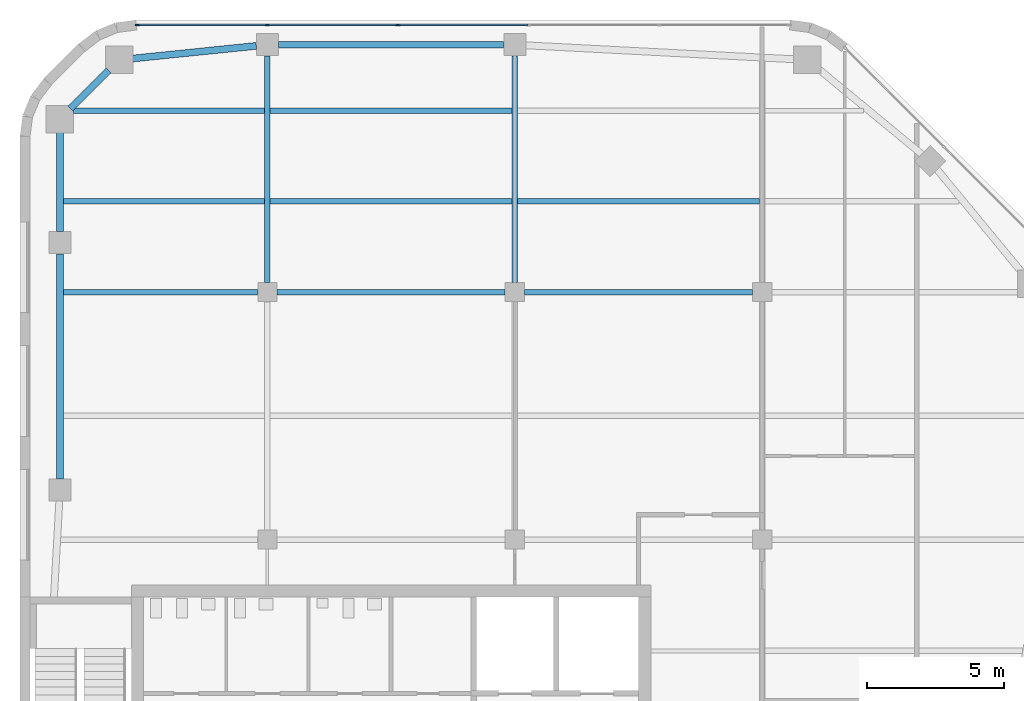
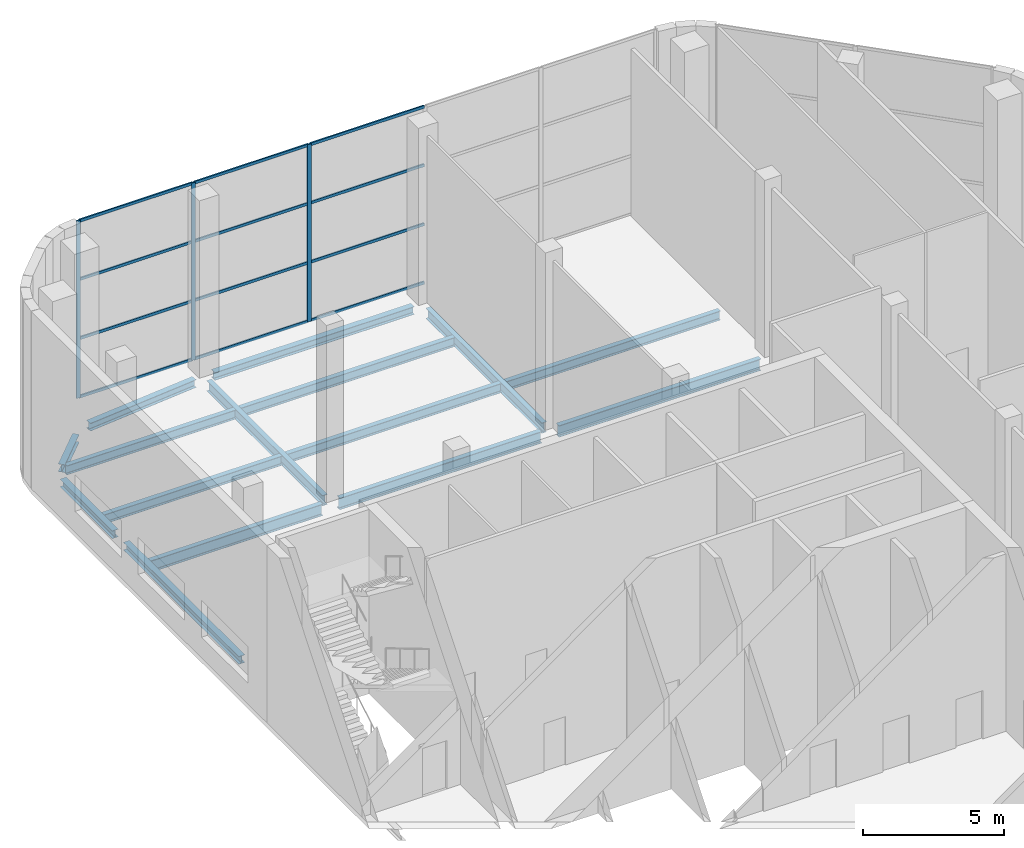
# One storey, part 5 of 12: 15 beams, 15 members, 1 element without a shape of its own.
"""IFC4 building model written with IfcOpenShell, lengths in metres."""

from ifc_helpers import new_model, si_unit, direction, frame, origin, origin_2d, place, context, subcontext, project, spatial, rectangle, i_section, extrude, material, material_profile, profile_set, type_object, element, aggregate, save


model = new_model("IFC4")

# Units and contexts
model_context = context("Model", 3, precision=1e-05, world=origin(), true_north=direction((0.0, 1.0)))
body_context = subcontext(model_context, "Body", "Model", "MODEL_VIEW")
ifc_project = project(units=[si_unit("LENGTHUNIT", "METRE"), si_unit("AREAUNIT", "SQUARE_METRE"), si_unit("VOLUMEUNIT", "CUBIC_METRE"), si_unit("PLANEANGLEUNIT", "RADIAN"), si_unit("MASSUNIT", "GRAM", prefix="KILO")], contexts=[model_context])

# Site, building, storey
site_placement = place(None, origin())
site = spatial("IfcSite", under=ifc_project, at=site_placement, CompositionType="ELEMENT")
building_placement = place(site_placement, origin())
building = spatial("IfcBuilding", under=site, at=building_placement, Name="Cinnabar Reach Civic Tower", CompositionType="ELEMENT")
storey_placement = place(building_placement, frame((0.0, 0.0, 283.0)))
storey = spatial("IfcBuildingStorey", under=building, at=storey_placement, Name="L68", CompositionType="ELEMENT", Elevation=283.0)

# Beams
ifc_material_1 = material(Name="Steel Q355B", Category="steel")
ifc_material_profile_1 = material_profile(ifc_material_1, i_section(OverallWidth=0.25, OverallDepth=0.34, WebThickness=0.009, FlangeThickness=0.014, FilletRadius=0.013, at=origin_2d()), Name="HM340x250x9x14")
ifc_profile_set_1 = profile_set([ifc_material_profile_1], Name="Steel Q355B")
beam_type_1 = type_object("IfcBeamType", Name="HM340x250x9x14 beam R 180", PredefinedType="BEAM", material=ifc_profile_set_1)
beam_1_placement = place(storey_placement, frame((17.598, 62.1, -0.37), z_axis=(-1.0, 0.0, 0.0), x_axis=(0.0, -1.0, 0.0)))
element("IfcBeam", 1, at=beam_1_placement, inside=storey, type_object=beam_type_1, Name="Edge beam T1 L68 12", PredefinedType="BEAM", context=body_context, shape_type="SweptSolid", body=[
    extrude(i_section(OverallWidth=0.25, OverallDepth=0.34, WebThickness=0.009, FlangeThickness=0.014, FilletRadius=0.013, at=origin_2d()), origin(), (0.0, 0.0, 1.0), 8.196),
])
beam_2_placement = place(storey_placement, frame((8.598, 62.0588, -0.37), z_axis=(-0.994791084875, -0.101934770579, 0.0), x_axis=(0.101934770579, -0.994791084875, 0.0)))
element("IfcBeam", 2, at=beam_2_placement, inside=storey, type_object=beam_type_1, Name="Edge beam T1 L68 13", PredefinedType="BEAM", context=body_context, shape_type="SweptSolid", body=[
    extrude(i_section(OverallWidth=0.25, OverallDepth=0.34, WebThickness=0.009, FlangeThickness=0.014, FilletRadius=0.013, at=origin_2d()), origin(), (0.0, 0.0, 1.0), 4.6383),
])
beam_3_placement = place(storey_placement, frame((3.2199, 61.1649, -0.37), z_axis=(-0.707106781187, -0.707106781187, 0.0), x_axis=(0.707106781187, -0.707106781187, 0.0)))
element("IfcBeam", 3, at=beam_3_placement, inside=storey, type_object=beam_type_1, Name="Edge beam T1 L68 14", PredefinedType="BEAM", context=body_context, shape_type="SweptSolid", body=[
    extrude(i_section(OverallWidth=0.25, OverallDepth=0.34, WebThickness=0.009, FlangeThickness=0.014, FilletRadius=0.013, at=origin_2d()), origin(), (0.0, 0.0, 1.0), 1.9584),
])
beam_4_placement = place(storey_placement, frame((1.4531, 59.0161, -0.37), z_axis=(0.0, -1.0, 0.0), x_axis=(1.0, 0.0, 0.0)))
element("IfcBeam", 4, at=beam_4_placement, inside=storey, type_object=beam_type_1, Name="Edge beam T1 L68 15", PredefinedType="BEAM", context=body_context, shape_type="SweptSolid", body=[
    extrude(i_section(OverallWidth=0.25, OverallDepth=0.34, WebThickness=0.009, FlangeThickness=0.014, FilletRadius=0.013, at=origin_2d()), origin(), (0.0, 0.0, 1.0), 3.716),
])
beam_5_placement = place(storey_placement, frame((1.4531, 54.4961, -0.37), z_axis=(0.0, -1.0, 0.0), x_axis=(1.0, 0.0, 0.0)))
element("IfcBeam", 5, at=beam_5_placement, inside=storey, type_object=beam_type_1, Name="Edge beam T1 L68 16", PredefinedType="BEAM", context=body_context, shape_type="SweptSolid", body=[
    extrude(i_section(OverallWidth=0.25, OverallDepth=0.34, WebThickness=0.009, FlangeThickness=0.014, FilletRadius=0.013, at=origin_2d()), origin(), (0.0, 0.0, 1.0), 8.196),
])
ifc_material_profile_2 = material_profile(ifc_material_1, i_section(OverallWidth=0.2, OverallDepth=0.4, WebThickness=0.008, FlangeThickness=0.013, FilletRadius=0.016, at=origin_2d()), Name="HN400x200x8x13")
ifc_profile_set_2 = profile_set([ifc_material_profile_2], Name="Steel Q355B")
beam_type_2 = type_object("IfcBeamType", Name="HN400x200x8x13 beam R 180", PredefinedType="BEAM", material=ifc_profile_set_2)
beam_6_placement = place(storey_placement, frame((1.5801, 56.4, -0.4), z_axis=(1.0, 0.0, 0.0), x_axis=(0.0, 1.0, 0.0)))
element("IfcBeam", 6, at=beam_6_placement, inside=storey, type_object=beam_type_2, Name="Secondary beam T1 L68 12", PredefinedType="BEAM", context=body_context, shape_type="SweptSolid", body=[
    extrude(i_section(OverallWidth=0.2, OverallDepth=0.4, WebThickness=0.008, FlangeThickness=0.013, FilletRadius=0.016, at=origin_2d()), origin(), (0.0, 0.0, 1.0), 7.3179),
])
for number, where, z_axis, x_axis, name in (
    (7, (9.102, 56.4, -0.4), (1.0, 0.0, 0.0), (0.0, 1.0, 0.0), "Secondary beam T1 L68 13"),
    (8, (18.102, 56.4, -0.4), (1.0, 0.0, 0.0), (0.0, 1.0, 0.0), "Secondary beam T1 L68 14"),
):
    element("IfcBeam", number, at=place(storey_placement, frame(where, z_axis=z_axis, x_axis=x_axis)), inside=storey, type_object=beam_type_2, Name=name, PredefinedType="BEAM", context=body_context, shape_type="SweptSolid", body=[
        extrude(i_section(OverallWidth=0.2, OverallDepth=0.4, WebThickness=0.008, FlangeThickness=0.013, FilletRadius=0.016, at=origin_2d()), origin(), (0.0, 0.0, 1.0), 8.796),
    ])
beam_7_placement = place(storey_placement, frame((1.9551, 59.7, -0.4), z_axis=(1.0, 0.0, 0.0), x_axis=(0.0, 1.0, 0.0)))
element("IfcBeam", 9, at=beam_7_placement, inside=storey, type_object=beam_type_2, Name="Secondary beam T1 L68 16", PredefinedType="BEAM", context=body_context, shape_type="SweptSolid", body=[
    extrude(i_section(OverallWidth=0.2, OverallDepth=0.4, WebThickness=0.008, FlangeThickness=0.013, FilletRadius=0.016, at=origin_2d()), origin(), (0.0, 0.0, 1.0), 6.9429),
])
beam_8_placement = place(storey_placement, frame((9.102, 59.7, -0.4), z_axis=(1.0, 0.0, 0.0), x_axis=(0.0, 1.0, 0.0)))
element("IfcBeam", 10, at=beam_8_placement, inside=storey, type_object=beam_type_2, Name="Secondary beam T1 L68 17", PredefinedType="BEAM", context=body_context, shape_type="SweptSolid", body=[
    extrude(i_section(OverallWidth=0.2, OverallDepth=0.4, WebThickness=0.008, FlangeThickness=0.013, FilletRadius=0.016, at=origin_2d()), origin(), (0.0, 0.0, 1.0), 8.796),
])
ifc_material_profile_3 = material_profile(ifc_material_1, i_section(OverallWidth=0.2, OverallDepth=0.45, WebThickness=0.009, FlangeThickness=0.014, FilletRadius=0.016, at=origin_2d()), Name="HN450x200x9x14")
ifc_profile_set_3 = profile_set([ifc_material_profile_3], Name="Steel Q355B")
beam_type_3 = type_object("IfcBeamType", Name="HN450x200x9x14 beam R 180", PredefinedType="BEAM", material=ifc_profile_set_3)
for number, where, z_axis, x_axis, name in (
    (11, (9.0, 53.452, -0.425), (0.0, 1.0, 0.0), (-1.0, 0.0, 0.0), "Girder T1 L68 4"),
    (12, (18.0, 53.452, -0.425), (0.0, 1.0, 0.0), (-1.0, 0.0, 0.0), "Girder T1 L68 8"),
):
    element("IfcBeam", number, at=place(storey_placement, frame(where, z_axis=z_axis, x_axis=x_axis)), inside=storey, type_object=beam_type_3, Name=name, PredefinedType="BEAM", context=body_context, shape_type="SweptSolid", body=[
        extrude(i_section(OverallWidth=0.2, OverallDepth=0.45, WebThickness=0.009, FlangeThickness=0.014, FilletRadius=0.016, at=origin_2d()), origin(), (0.0, 0.0, 1.0), 8.246),
    ])
ifc_material_profile_4 = material_profile(ifc_material_1, i_section(OverallWidth=0.2, OverallDepth=0.5, WebThickness=0.01, FlangeThickness=0.016, FilletRadius=0.016, at=origin_2d()), Name="HN500x200x10x16")
ifc_profile_set_4 = profile_set([ifc_material_profile_4], Name="Steel Q355B")
beam_type_4 = type_object("IfcBeamType", Name="HN500x200x10x16 beam R 180", PredefinedType="BEAM", material=ifc_profile_set_4)
beam_9_placement = place(storey_placement, frame((1.5801, 53.1, -0.45), z_axis=(1.0, 0.0, 0.0), x_axis=(0.0, 1.0, 0.0)))
element("IfcBeam", 13, at=beam_9_placement, inside=storey, type_object=beam_type_4, Name="Girder T1 L68 9", PredefinedType="BEAM", context=body_context, shape_type="SweptSolid", body=[
    extrude(i_section(OverallWidth=0.2, OverallDepth=0.5, WebThickness=0.01, FlangeThickness=0.016, FilletRadius=0.016, at=origin_2d()), origin(), (0.0, 0.0, 1.0), 7.0679),
])
for number, where, z_axis, x_axis, name in (
    (14, (9.352, 53.1, -0.45), (1.0, 0.0, 0.0), (0.0, 1.0, 0.0), "Girder T1 L68 10"),
    (15, (18.352, 53.1, -0.45), (1.0, 0.0, 0.0), (0.0, 1.0, 0.0), "Girder T1 L68 11"),
):
    element("IfcBeam", number, at=place(storey_placement, frame(where, z_axis=z_axis, x_axis=x_axis)), inside=storey, type_object=beam_type_4, Name=name, PredefinedType="BEAM", context=body_context, shape_type="SweptSolid", body=[
        extrude(i_section(OverallWidth=0.2, OverallDepth=0.5, WebThickness=0.01, FlangeThickness=0.016, FilletRadius=0.016, at=origin_2d()), origin(), (0.0, 0.0, 1.0), 8.296),
    ])

# Curtain wall, members
ifc_material_2 = material(Name="Aluminium and clear double glazing", Category="aluminium")
curtain_wall_type = type_object("IfcCurtainWallType", Name="Observation deck curtain wall", PredefinedType="NOTDEFINED", material=ifc_material_2)
curtain_wall_placement = place(storey_placement, origin())
curtain_wall = element("IfcCurtainWall", 16, at=curtain_wall_placement, inside=storey, type_object=curtain_wall_type, Name="Observation deck 5", PredefinedType="NOTDEFINED")
ifc_material_3 = material(Name="Aluminium", Category="aluminium")
ifc_material_profile_5 = material_profile(ifc_material_3, rectangle(XDim=0.06, YDim=0.16, at=origin_2d()), Name="Observation deck mullion")
ifc_profile_set_5 = profile_set([ifc_material_profile_5], Name="Aluminium")
member_type_1 = type_object("IfcMemberType", Name="Observation deck mullion", PredefinedType="MULLION", material=ifc_profile_set_5)
member_1_placement = place(storey_placement, frame((13.7485, 62.82, 0.0), z_axis=(0.0, 0.0, 1.0), x_axis=(0.0, -1.0, 0.0)))
member_1 = element("IfcMember", 17, at=member_1_placement, type_object=member_type_1, Name="CW-T1OBS-5 mullion 4", PredefinedType="MULLION", context=body_context, shape_type="SweptSolid", body=[
    extrude(rectangle(XDim=0.06, YDim=0.16, at=origin_2d()), origin(), (0.0, 0.0, 1.0), 7.7),
])
member_2_placement = place(storey_placement, frame((8.9956, 62.82, 0.0), z_axis=(0.0, 0.0, 1.0), x_axis=(0.0, -1.0, 0.0)))
member_2 = element("IfcMember", 18, at=member_2_placement, type_object=member_type_1, Name="CW-T1OBS-5 mullion 5", PredefinedType="MULLION", context=body_context, shape_type="SweptSolid", body=[
    extrude(rectangle(XDim=0.06, YDim=0.16, at=origin_2d()), origin(), (0.0, 0.0, 1.0), 7.7),
])
member_3_placement = place(storey_placement, frame((4.2726, 62.82, 0.0), z_axis=(0.0, 0.0, 1.0), x_axis=(0.0, -1.0, 0.0)))
member_3 = element("IfcMember", 19, at=member_3_placement, type_object=member_type_1, Name="CW-T1OBS-5 mullion 6", PredefinedType="MULLION", context=body_context, shape_type="SweptSolid", body=[
    extrude(rectangle(XDim=0.06, YDim=0.16, at=origin_2d()), origin(), (0.0, 0.0, 1.0), 7.7),
])
ifc_material_profile_6 = material_profile(ifc_material_3, rectangle(XDim=0.06, YDim=0.12, at=origin_2d()), Name="Observation deck transom")
ifc_profile_set_6 = profile_set([ifc_material_profile_6], Name="Aluminium")
member_type_2 = type_object("IfcMemberType", Name="Observation deck transom", PredefinedType="USERDEFINED", material=ifc_profile_set_6)
member_4_placement = place(storey_placement, frame((18.4715, 62.82, 0.03), z_axis=(-1.0, 0.0, 0.0), x_axis=(0.0, -1.0, 0.0)))
member_4 = element("IfcMember", 20, at=member_4_placement, type_object=member_type_2, Name="CW-T1OBS-5 transom 3.1", ObjectType="TRANSOM", PredefinedType="USERDEFINED", context=body_context, shape_type="SweptSolid", body=[
    extrude(rectangle(XDim=0.06, YDim=0.12, at=origin_2d()), origin(), (0.0, 0.0, 1.0), 4.693),
])
member_5_placement = place(storey_placement, frame((18.4715, 62.82, 2.5667), z_axis=(-1.0, 0.0, 0.0), x_axis=(0.0, -1.0, 0.0)))
member_5 = element("IfcMember", 21, at=member_5_placement, type_object=member_type_2, Name="CW-T1OBS-5 transom 3.2", ObjectType="TRANSOM", PredefinedType="USERDEFINED", context=body_context, shape_type="SweptSolid", body=[
    extrude(rectangle(XDim=0.06, YDim=0.12, at=origin_2d()), origin(), (0.0, 0.0, 1.0), 4.693),
])
member_6_placement = place(storey_placement, frame((18.4715, 62.82, 5.1333), z_axis=(-1.0, 0.0, 0.0), x_axis=(0.0, -1.0, 0.0)))
member_6 = element("IfcMember", 22, at=member_6_placement, type_object=member_type_2, Name="CW-T1OBS-5 transom 3.3", ObjectType="TRANSOM", PredefinedType="USERDEFINED", context=body_context, shape_type="SweptSolid", body=[
    extrude(rectangle(XDim=0.06, YDim=0.12, at=origin_2d()), origin(), (0.0, 0.0, 1.0), 4.693),
])
member_7_placement = place(storey_placement, frame((18.4715, 62.82, 7.67), z_axis=(-1.0, 0.0, 0.0), x_axis=(0.0, -1.0, 0.0)))
member_7 = element("IfcMember", 23, at=member_7_placement, type_object=member_type_2, Name="CW-T1OBS-5 transom 3.4", ObjectType="TRANSOM", PredefinedType="USERDEFINED", context=body_context, shape_type="SweptSolid", body=[
    extrude(rectangle(XDim=0.06, YDim=0.12, at=origin_2d()), origin(), (0.0, 0.0, 1.0), 4.693),
])
member_8_placement = place(storey_placement, frame((13.7185, 62.82, 0.03), z_axis=(-1.0, 0.0, 0.0), x_axis=(0.0, -1.0, 0.0)))
member_8 = element("IfcMember", 24, at=member_8_placement, type_object=member_type_2, Name="CW-T1OBS-5 transom 4.1", ObjectType="TRANSOM", PredefinedType="USERDEFINED", context=body_context, shape_type="SweptSolid", body=[
    extrude(rectangle(XDim=0.06, YDim=0.12, at=origin_2d()), origin(), (0.0, 0.0, 1.0), 4.6929),
])
member_9_placement = place(storey_placement, frame((13.7185, 62.82, 2.5667), z_axis=(-1.0, 0.0, 0.0), x_axis=(0.0, -1.0, 0.0)))
member_9 = element("IfcMember", 25, at=member_9_placement, type_object=member_type_2, Name="CW-T1OBS-5 transom 4.2", ObjectType="TRANSOM", PredefinedType="USERDEFINED", context=body_context, shape_type="SweptSolid", body=[
    extrude(rectangle(XDim=0.06, YDim=0.12, at=origin_2d()), origin(), (0.0, 0.0, 1.0), 4.6929),
])
member_10_placement = place(storey_placement, frame((13.7185, 62.82, 5.1333), z_axis=(-1.0, 0.0, 0.0), x_axis=(0.0, -1.0, 0.0)))
member_10 = element("IfcMember", 26, at=member_10_placement, type_object=member_type_2, Name="CW-T1OBS-5 transom 4.3", ObjectType="TRANSOM", PredefinedType="USERDEFINED", context=body_context, shape_type="SweptSolid", body=[
    extrude(rectangle(XDim=0.06, YDim=0.12, at=origin_2d()), origin(), (0.0, 0.0, 1.0), 4.6929),
])
member_11_placement = place(storey_placement, frame((13.7185, 62.82, 7.67), z_axis=(-1.0, 0.0, 0.0), x_axis=(0.0, -1.0, 0.0)))
member_11 = element("IfcMember", 27, at=member_11_placement, type_object=member_type_2, Name="CW-T1OBS-5 transom 4.4", ObjectType="TRANSOM", PredefinedType="USERDEFINED", context=body_context, shape_type="SweptSolid", body=[
    extrude(rectangle(XDim=0.06, YDim=0.12, at=origin_2d()), origin(), (0.0, 0.0, 1.0), 4.6929),
])
member_12_placement = place(storey_placement, frame((8.9656, 62.82, 0.03), z_axis=(-1.0, 0.0, 0.0), x_axis=(0.0, -1.0, 0.0)))
member_12 = element("IfcMember", 28, at=member_12_placement, type_object=member_type_2, Name="CW-T1OBS-5 transom 5.1", ObjectType="TRANSOM", PredefinedType="USERDEFINED", context=body_context, shape_type="SweptSolid", body=[
    extrude(rectangle(XDim=0.06, YDim=0.12, at=origin_2d()), origin(), (0.0, 0.0, 1.0), 4.663),
])
member_13_placement = place(storey_placement, frame((8.9656, 62.82, 2.5667), z_axis=(-1.0, 0.0, 0.0), x_axis=(0.0, -1.0, 0.0)))
member_13 = element("IfcMember", 29, at=member_13_placement, type_object=member_type_2, Name="CW-T1OBS-5 transom 5.2", ObjectType="TRANSOM", PredefinedType="USERDEFINED", context=body_context, shape_type="SweptSolid", body=[
    extrude(rectangle(XDim=0.06, YDim=0.12, at=origin_2d()), origin(), (0.0, 0.0, 1.0), 4.663),
])
member_14_placement = place(storey_placement, frame((8.9656, 62.82, 5.1333), z_axis=(-1.0, 0.0, 0.0), x_axis=(0.0, -1.0, 0.0)))
member_14 = element("IfcMember", 30, at=member_14_placement, type_object=member_type_2, Name="CW-T1OBS-5 transom 5.3", ObjectType="TRANSOM", PredefinedType="USERDEFINED", context=body_context, shape_type="SweptSolid", body=[
    extrude(rectangle(XDim=0.06, YDim=0.12, at=origin_2d()), origin(), (0.0, 0.0, 1.0), 4.663),
])
member_15_placement = place(storey_placement, frame((8.9656, 62.82, 7.67), z_axis=(-1.0, 0.0, 0.0), x_axis=(0.0, -1.0, 0.0)))
member_15 = element("IfcMember", 31, at=member_15_placement, type_object=member_type_2, Name="CW-T1OBS-5 transom 5.4", ObjectType="TRANSOM", PredefinedType="USERDEFINED", context=body_context, shape_type="SweptSolid", body=[
    extrude(rectangle(XDim=0.06, YDim=0.12, at=origin_2d()), origin(), (0.0, 0.0, 1.0), 4.663),
])
aggregate(curtain_wall, [member_1, member_2, member_3, member_4, member_5, member_6, member_7, member_8, member_9, member_10, member_11, member_12, member_13, member_14, member_15])

save(model, "model.ifc")
